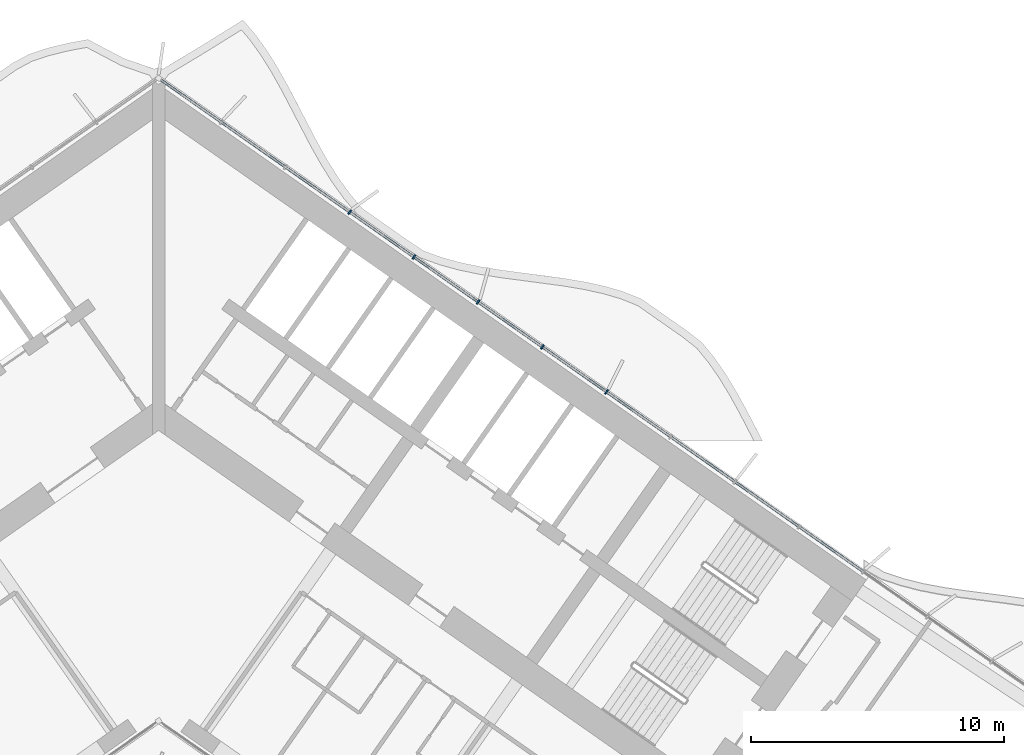
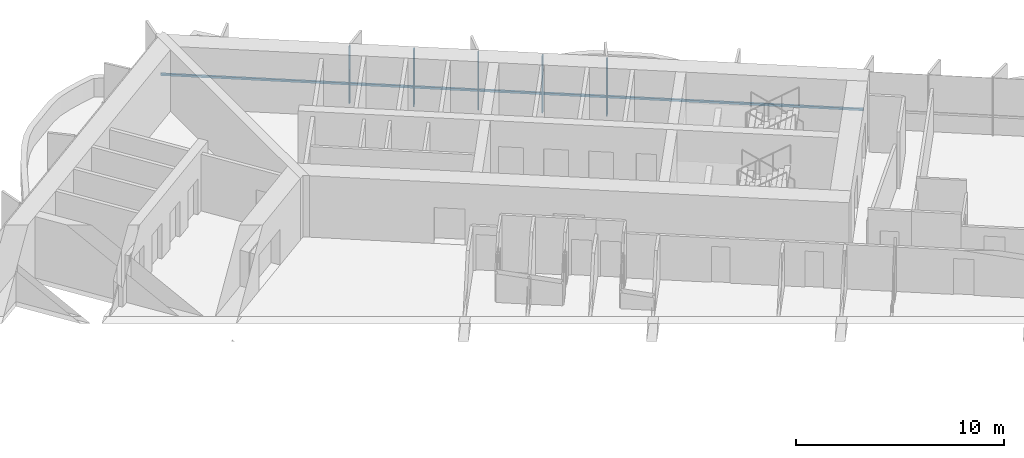
# One storey, part 8 of 23: 6 members, 1 element without a shape of its own.
"""IFC4 building model written with IfcOpenShell, lengths in metres."""

from ifc_helpers import new_model, si_unit, direction, frame, origin, origin_2d, place, context, subcontext, project, spatial, rectangle, extrude, material, material_profile, profile_set, type_object, element, aggregate, save


model = new_model("IFC4")

# Units and contexts
model_context = context("Model", 3, precision=1e-05, world=origin(), true_north=direction((0.0, 1.0)))
body_context = subcontext(model_context, "Body", "Model", "MODEL_VIEW")
ifc_project = project(units=[si_unit("LENGTHUNIT", "METRE"), si_unit("AREAUNIT", "SQUARE_METRE"), si_unit("VOLUMEUNIT", "CUBIC_METRE"), si_unit("PLANEANGLEUNIT", "RADIAN"), si_unit("MASSUNIT", "GRAM", prefix="KILO")], contexts=[model_context])

# Site, building, storey
site_placement = place(None, origin())
site = spatial("IfcSite", under=ifc_project, at=site_placement, CompositionType="ELEMENT")
building_placement = place(site_placement, origin())
building = spatial("IfcBuilding", under=site, at=building_placement, Name="Tel Ilan Convention Tower", CompositionType="ELEMENT")
storey_placement = place(building_placement, frame((0.0, 0.0, 115.699951171875)))
storey = spatial("IfcBuildingStorey", under=building, at=storey_placement, Name="L25", CompositionType="ELEMENT", Elevation=115.699951171875)

# Curtain wall, members
ifc_material_1 = material(Name="Aluminium, bronze anodised", Category="aluminium")
curtain_wall_type = type_object("IfcCurtainWallType", Name="CW2 STICK CURTAIN WALL, SPANDREL PANELS", PredefinedType="NOTDEFINED", material=ifc_material_1)
curtain_wall_placement = place(storey_placement, origin())
curtain_wall = element("IfcCurtainWall", 1, at=curtain_wall_placement, inside=storey, type_object=curtain_wall_type, Name="Curtain wall CW2-20.01", PredefinedType="NOTDEFINED")
ifc_material_2 = material(Name="Aluminium, bronze anodised", Category="aluminium")
ifc_material_profile_1 = material_profile(ifc_material_2, rectangle(XDim=0.06005859375, YDim=0.199951171875, at=origin_2d()), Name="CW MULLION 60x200")
ifc_profile_set_1 = profile_set([ifc_material_profile_1], Name="Aluminium, bronze anodised")
member_type_1 = type_object("IfcMemberType", Name="CW MULLION 60x200", PredefinedType="MULLION", material=ifc_profile_set_1)
member_1_placement = place(storey_placement, frame((17.701171875, 0.301513671875, 0.0), z_axis=(0.0, 0.0, 1.0), x_axis=(-0.819152044289, 0.573576436351, 0.0)))
member_1 = element("IfcMember", 2, at=member_1_placement, type_object=member_type_1, Name="Mullion", PredefinedType="MULLION", context=body_context, shape_type="SweptSolid", body=[
    extrude(rectangle(XDim=0.06005859375, YDim=0.199951171875, at=origin_2d()), origin(), (0.0, 0.0, 1.0), 3.320068359375),
])
member_2_placement = place(storey_placement, frame((15.1640625, 2.077880859375, 0.0), z_axis=(0.0, 0.0, 1.0), x_axis=(-0.819152044289, 0.573576436351, 0.0)))
member_2 = element("IfcMember", 3, at=member_2_placement, type_object=member_type_1, Name="Mullion", PredefinedType="MULLION", context=body_context, shape_type="SweptSolid", body=[
    extrude(rectangle(XDim=0.06005859375, YDim=0.199951171875, at=origin_2d()), origin(), (0.0, 0.0, 1.0), 3.320068359375),
])
member_3_placement = place(storey_placement, frame((12.627197265625, 3.854248046875, 0.0), z_axis=(0.0, 0.0, 1.0), x_axis=(-0.819152044289, 0.573576436351, 0.0)))
member_3 = element("IfcMember", 4, at=member_3_placement, type_object=member_type_1, Name="Mullion", PredefinedType="MULLION", context=body_context, shape_type="SweptSolid", body=[
    extrude(rectangle(XDim=0.06005859375, YDim=0.199951171875, at=origin_2d()), origin(), (0.0, 0.0, 1.0), 3.320068359375),
])
member_4_placement = place(storey_placement, frame((10.09033203125, 5.630615234375, 0.0), z_axis=(0.0, 0.0, 1.0), x_axis=(-0.819152044289, 0.573576436351, 0.0)))
member_4 = element("IfcMember", 5, at=member_4_placement, type_object=member_type_1, Name="Mullion", PredefinedType="MULLION", context=body_context, shape_type="SweptSolid", body=[
    extrude(rectangle(XDim=0.06005859375, YDim=0.199951171875, at=origin_2d()), origin(), (0.0, 0.0, 1.0), 3.320068359375),
])
member_5_placement = place(storey_placement, frame((7.553466796875, 7.406982421875, 0.0), z_axis=(0.0, 0.0, 1.0), x_axis=(-0.819152044289, 0.573576436351, 0.0)))
member_5 = element("IfcMember", 6, at=member_5_placement, type_object=member_type_1, Name="Mullion", PredefinedType="MULLION", context=body_context, shape_type="SweptSolid", body=[
    extrude(rectangle(XDim=0.06005859375, YDim=0.199951171875, at=origin_2d()), origin(), (0.0, 0.0, 1.0), 3.320068359375),
])
ifc_material_3 = material(Name="Aluminium, bronze anodised", Category="aluminium")
ifc_material_profile_2 = material_profile(ifc_material_3, rectangle(XDim=0.10009765625, YDim=0.1201171875, at=origin_2d()), Name="CW TRANSOM 100x120")
ifc_profile_set_2 = profile_set([ifc_material_profile_2], Name="Aluminium, bronze anodised")
member_type_2 = type_object("IfcMemberType", Name="CW TRANSOM 100x120", PredefinedType="USERDEFINED", material=ifc_profile_set_2)
member_6_placement = place(storey_placement, frame((27.82421875, -6.78662109375, 1.10009765625), z_axis=(-0.819151916241, 0.573576619222, 0.0), x_axis=(-0.573576619222, -0.819151916241, 0.0)))
member_6 = element("IfcMember", 7, at=member_6_placement, type_object=member_type_2, Name="Transom", ObjectType="TRANSOM", PredefinedType="USERDEFINED", context=body_context, shape_type="SweptSolid", body=[
    extrude(rectangle(XDim=0.10009765625, YDim=0.1201171875, at=origin_2d()), origin(), (0.0, 0.0, 1.0), 33.837158203125),
])
aggregate(curtain_wall, [member_1, member_2, member_3, member_4, member_5, member_6])

save(model, "model.ifc")
